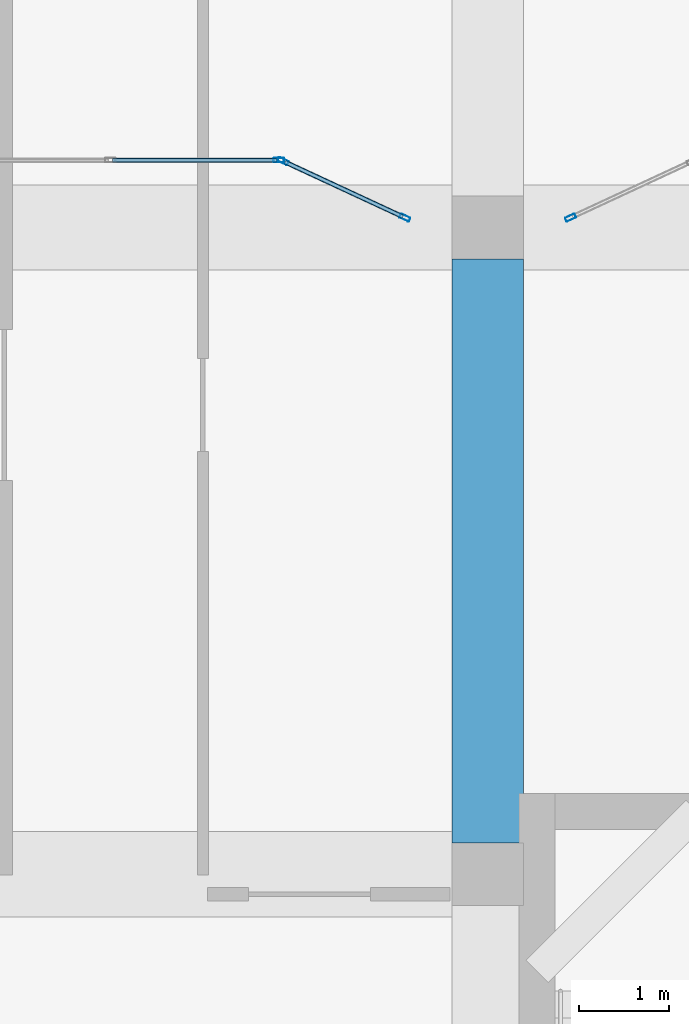
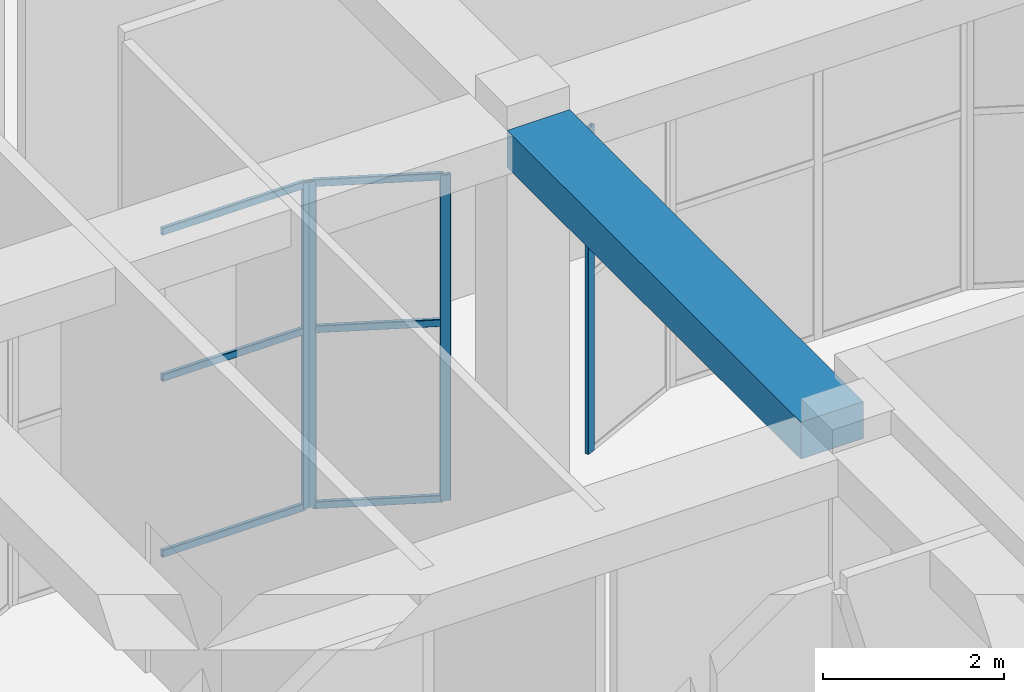
# One storey, part 11 of 84: 10 members, 1 beam, 3 elements without a shape of their own.
"""IFC4 building model written with IfcOpenShell, lengths in metres."""

from ifc_helpers import new_model, si_unit, derived_unit, direction, frame, origin, origin_2d, place, context, subcontext, project, spatial, rectangle, hollow_rectangle, extrude, material, material_profile, profile_set, type_object, element, aggregate, save


model = new_model("IFC4")

# Units and contexts
model_context = context("Model", 3, precision=1e-05, world=origin(), true_north=direction((0.0, 1.0)))
body_context = subcontext(model_context, "Body", "Model", "MODEL_VIEW")
ifc_project = project(units=[si_unit("LENGTHUNIT", "METRE"), si_unit("AREAUNIT", "SQUARE_METRE"), si_unit("VOLUMEUNIT", "CUBIC_METRE"), si_unit("PLANEANGLEUNIT", "RADIAN"), si_unit("MASSUNIT", "GRAM", prefix="KILO"), derived_unit("THERMALTRANSMITTANCEUNIT", [(si_unit("POWERUNIT", "WATT"), 1), (si_unit("LENGTHUNIT", "METRE"), -2), (si_unit("THERMODYNAMICTEMPERATUREUNIT", "KELVIN"), -1)])], contexts=[model_context])

# Site, building, storey
site_placement = place(None, origin())
site = spatial("IfcSite", under=ifc_project, at=site_placement, CompositionType="ELEMENT")
building_placement = place(site_placement, origin())
building = spatial("IfcBuilding", under=site, at=building_placement, Name="Veybourne Emporium", CompositionType="ELEMENT")
storey_placement = place(building_placement, origin())
storey = spatial("IfcBuildingStorey", under=building, at=storey_placement, Name="L00", CompositionType="ELEMENT", Elevation=0.0)

# Curtain wall, member
ifc_material_1 = material(Name="Patinated Architectural Bronze", Category="bronze")
curtain_wall_type_1 = type_object("IfcCurtainWallType", Name="CWSystem_CWI-04", PredefinedType="NOTDEFINED", material=ifc_material_1)
curtain_wall_1_placement = place(storey_placement, origin())
curtain_wall_1 = element("IfcCurtainWall", 1, at=curtain_wall_1_placement, inside=storey, type_object=curtain_wall_type_1, Name="Arcade bow-front boutique shopfront L00 bay 8 facet 2", PredefinedType="NOTDEFINED")
ifc_material_profile_1 = material_profile(ifc_material_1, hollow_rectangle(XDim=0.050048828125, YDim=0.1201171875, WallThickness=0.00390625, InnerFilletRadius=0.006103515625, OuterFilletRadius=0.010009765625, at=origin_2d()), Name="CWM 50x120x4")
ifc_profile_set_1 = profile_set([ifc_material_profile_1], Name="Patinated Architectural Bronze")
member_type_1 = type_object("IfcMemberType", Name="CWMullion_CW-M5", PredefinedType="MULLION", material=ifc_profile_set_1)
member_1_placement = place(storey_placement, frame((73.27490234375, 22.35009765625, 0.0), z_axis=(0.0, 0.0, 1.0), x_axis=(0.0, 1.0, 0.0)))
member_1 = element("IfcMember", 2, at=member_1_placement, type_object=member_type_1, Name="CWI-04 mullion 3", PredefinedType="MULLION", context=body_context, shape_type="SweptSolid", body=[
    extrude(hollow_rectangle(XDim=0.050048828125, YDim=0.1201171875, WallThickness=0.00390625, InnerFilletRadius=0.006103515625, OuterFilletRadius=0.010009765625, at=origin_2d()), origin(), (0.0, 0.0, 1.0), 4.39990234375),
])

# Curtain wall, members
curtain_wall_type_2 = type_object("IfcCurtainWallType", Name="CWSystem_CWI-05", PredefinedType="NOTDEFINED", material=ifc_material_1)
curtain_wall_2_placement = place(storey_placement, origin())
curtain_wall_2 = element("IfcCurtainWall", 3, at=curtain_wall_2_placement, inside=storey, type_object=curtain_wall_type_2, Name="Arcade bow-front boutique shopfront L00 bay 8 facet 3", PredefinedType="NOTDEFINED")
member_2_placement = place(storey_placement, frame((73.32275390625, 22.33935546875, 0.0), z_axis=(0.0, 0.0, 1.0), x_axis=(0.421111306453, 0.907008967749, 0.0)))
member_2 = element("IfcMember", 4, at=member_2_placement, type_object=member_type_1, Name="CWI-05 mullion 1", PredefinedType="MULLION", context=body_context, shape_type="SweptSolid", body=[
    extrude(hollow_rectangle(XDim=0.050048828125, YDim=0.1201171875, WallThickness=0.00390625, InnerFilletRadius=0.006103515625, OuterFilletRadius=0.010009765625, at=origin_2d()), origin(), (0.0, 0.0, 1.0), 4.39990234375),
])
member_3_placement = place(storey_placement, frame((74.67724609375, 21.71044921875, 0.0), z_axis=(0.0, 0.0, 1.0), x_axis=(0.421111306453, 0.907008967749, 0.0)))
member_3 = element("IfcMember", 5, at=member_3_placement, type_object=member_type_1, Name="CWI-05 mullion 2", PredefinedType="MULLION", context=body_context, shape_type="SweptSolid", body=[
    extrude(hollow_rectangle(XDim=0.050048828125, YDim=0.1201171875, WallThickness=0.00390625, InnerFilletRadius=0.006103515625, OuterFilletRadius=0.010009765625, at=origin_2d()), origin(), (0.0, 0.0, 1.0), 4.39990234375),
])

# Curtain wall, member
curtain_wall_3_placement = place(storey_placement, origin())
curtain_wall_3 = element("IfcCurtainWall", 6, at=curtain_wall_3_placement, inside=storey, type_object=curtain_wall_type_1, Name="Arcade bow-front boutique shopfront L00 bay 9 facet 1", PredefinedType="NOTDEFINED")
member_4_placement = place(storey_placement, frame((76.522705078125, 21.71044921875, 0.0), z_axis=(0.0, 0.0, 1.0), x_axis=(-0.421111306453, 0.907008967749, 0.0)))
member_4 = element("IfcMember", 7, at=member_4_placement, type_object=member_type_1, Name="CWI-04 mullion 1", PredefinedType="MULLION", context=body_context, shape_type="SweptSolid", body=[
    extrude(hollow_rectangle(XDim=0.050048828125, YDim=0.1201171875, WallThickness=0.00390625, InnerFilletRadius=0.006103515625, OuterFilletRadius=0.010009765625, at=origin_2d()), origin(), (0.0, 0.0, 1.0), 4.39990234375),
])
aggregate(curtain_wall_3, [member_4])

# Member
ifc_material_profile_2 = material_profile(ifc_material_1, hollow_rectangle(XDim=0.050048828125, YDim=0.10009765625, WallThickness=0.00390625, InnerFilletRadius=0.006103515625, OuterFilletRadius=0.010009765625, at=origin_2d()), Name="CWT 50x100x4")
ifc_profile_set_2 = profile_set([ifc_material_profile_2], Name="Patinated Architectural Bronze")
member_type_2 = type_object("IfcMemberType", Name="CWTransom_CW-T5", PredefinedType="NOTDEFINED", material=ifc_profile_set_2)
member_5_placement = place(storey_placement, frame((71.425048828125, 22.35009765625, 0.02490234375), z_axis=(1.0, 0.0, 0.0), x_axis=(0.0, 1.0, 0.0)))
member_5 = element("IfcMember", 8, at=member_5_placement, type_object=member_type_2, Name="CWI-04 transom 2.1", ObjectType="TRANSOM", PredefinedType="USERDEFINED", context=body_context, shape_type="SweptSolid", body=[
    extrude(hollow_rectangle(XDim=0.050048828125, YDim=0.10009765625, WallThickness=0.00390625, InnerFilletRadius=0.006103515625, OuterFilletRadius=0.010009765625, at=origin_2d()), origin(), (0.0, 0.0, 1.0), 1.824951171875),
])

member_6_placement = place(storey_placement, frame((71.425048828125, 22.35009765625, 2.39990234375), z_axis=(1.0, 0.0, 0.0), x_axis=(0.0, 1.0, 0.0)))
member_6 = element("IfcMember", 9, at=member_6_placement, type_object=member_type_2, Name="CWI-04 transom 2.2", ObjectType="TRANSOM", PredefinedType="USERDEFINED", context=body_context, shape_type="SweptSolid", body=[
    extrude(hollow_rectangle(XDim=0.050048828125, YDim=0.10009765625, WallThickness=0.00390625, InnerFilletRadius=0.006103515625, OuterFilletRadius=0.010009765625, at=origin_2d()), origin(), (0.0, 0.0, 1.0), 1.824951171875),
])

member_7_placement = place(storey_placement, frame((71.425048828125, 22.35009765625, 4.375), z_axis=(1.0, 0.0, 0.0), x_axis=(0.0, 1.0, 0.0)))
member_7 = element("IfcMember", 10, at=member_7_placement, type_object=member_type_2, Name="CWI-04 transom 2.3", ObjectType="TRANSOM", PredefinedType="USERDEFINED", context=body_context, shape_type="SweptSolid", body=[
    extrude(hollow_rectangle(XDim=0.050048828125, YDim=0.10009765625, WallThickness=0.00390625, InnerFilletRadius=0.006103515625, OuterFilletRadius=0.010009765625, at=origin_2d()), origin(), (0.0, 0.0, 1.0), 1.824951171875),
])

aggregate(curtain_wall_1, [member_1, member_5, member_6, member_7])

member_8_placement = place(storey_placement, frame((73.345458984375, 22.328857421875, 0.02490234375), z_axis=(0.906976661713, -0.421180881698, 0.0), x_axis=(0.421180881698, 0.906976661713, 0.0)))
member_8 = element("IfcMember", 11, at=member_8_placement, type_object=member_type_2, Name="CWI-05 transom 1.1", ObjectType="TRANSOM", PredefinedType="USERDEFINED", context=body_context, shape_type="SweptSolid", body=[
    extrude(hollow_rectangle(XDim=0.050048828125, YDim=0.10009765625, WallThickness=0.00390625, InnerFilletRadius=0.006103515625, OuterFilletRadius=0.010009765625, at=origin_2d()), origin(), (0.0, 0.0, 1.0), 1.443359375),
])

member_9_placement = place(storey_placement, frame((73.345458984375, 22.328857421875, 2.39990234375), z_axis=(0.906976661713, -0.421180881698, 0.0), x_axis=(0.421180881698, 0.906976661713, 0.0)))
member_9 = element("IfcMember", 12, at=member_9_placement, type_object=member_type_2, Name="CWI-05 transom 1.2", ObjectType="TRANSOM", PredefinedType="USERDEFINED", context=body_context, shape_type="SweptSolid", body=[
    extrude(hollow_rectangle(XDim=0.050048828125, YDim=0.10009765625, WallThickness=0.00390625, InnerFilletRadius=0.006103515625, OuterFilletRadius=0.010009765625, at=origin_2d()), origin(), (0.0, 0.0, 1.0), 1.443359375),
])

member_10_placement = place(storey_placement, frame((73.345458984375, 22.328857421875, 4.375), z_axis=(0.906976661713, -0.421180881698, 0.0), x_axis=(0.421180881698, 0.906976661713, 0.0)))
member_10 = element("IfcMember", 13, at=member_10_placement, type_object=member_type_2, Name="CWI-05 transom 1.3", ObjectType="TRANSOM", PredefinedType="USERDEFINED", context=body_context, shape_type="SweptSolid", body=[
    extrude(hollow_rectangle(XDim=0.050048828125, YDim=0.10009765625, WallThickness=0.00390625, InnerFilletRadius=0.006103515625, OuterFilletRadius=0.010009765625, at=origin_2d()), origin(), (0.0, 0.0, 1.0), 1.443359375),
])

aggregate(curtain_wall_2, [member_2, member_3, member_8, member_9, member_10])

# Beam
ifc_material_2 = material(Name="Concrete C32/40", Category="concrete")
ifc_material_profile_3 = material_profile(ifc_material_2, rectangle(XDim=0.800048828125, YDim=0.5, at=origin_2d()), Name="RC 800x500")
ifc_profile_set_3 = profile_set([ifc_material_profile_3], Name="Concrete C32/40")
beam_type = type_object("IfcBeamType", Name="RCBeam_BB-02", PredefinedType="BEAM", material=ifc_profile_set_3)
beam_placement = place(storey_placement, frame((75.60009765625, 14.75, 4.830078125), z_axis=(0.0, 1.0, 0.0), x_axis=(-1.0, 0.0, 0.0)))
element("IfcBeam", 14, at=beam_placement, inside=storey, type_object=beam_type, Name="L00 Y-grid beam BB-02 (9,2)", PredefinedType="BEAM", context=body_context, shape_type="SweptSolid", body=[
    extrude(rectangle(XDim=0.800048828125, YDim=0.5, at=origin_2d()), origin(), (0.0, 0.0, 1.0), 6.5),
])

save(model, "model.ifc")
